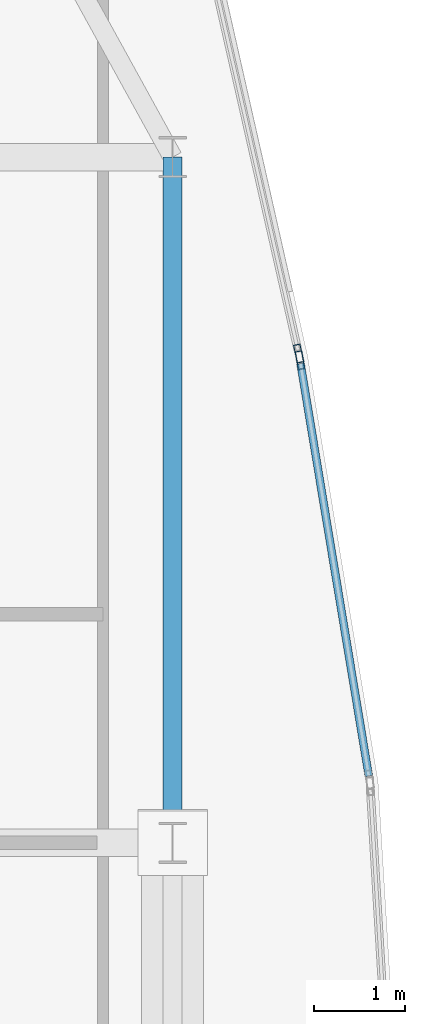
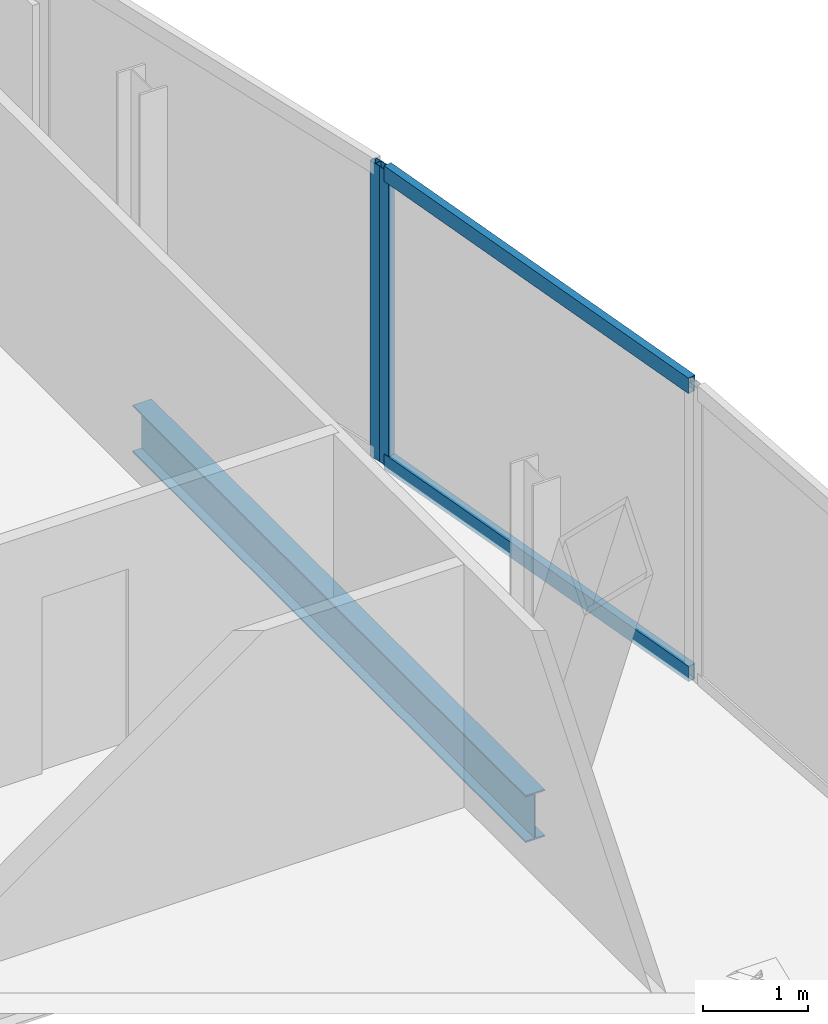
# One storey, part 21 of 31: 4 members, 1 beam, 2 elements without a shape of their own.
"""IFC4 building model written with IfcOpenShell, lengths in metres."""

import ifcopenshell
import ifcopenshell.guid

model = None  # the IFC model being written
_history = None  # IfcOwnerHistory: only IFC2X3 demands one
_inside = {}  # id of a spatial element -> (the spatial element, [elements in it])
_under = {}  # id of a project, library or spatial element -> (it, [spatial elements below it])
_declared = {}  # id of a project -> (the project, [libraries it declares])
_typed = {}  # id of a type object -> (the type object, [elements of that type])
_made_of = {}  # id of a material, layer set ... -> (it, [elements and type objects made of it])


def new_model(schema):
    """Start an empty IFC model of exactly this schema.

    Asked for "IFC4X3", IfcOpenShell would pick the latest addendum, in which some entities
    have other attributes; the version numbers below select the first issue.
    IFC2X3 requires an IfcOwnerHistory on every rooted entity: one is made here for all.
    """
    global model, _history
    if schema == "IFC4X3":
        model = ifcopenshell.file(schema_version=(4, 3, 0, 0))
    else:
        model = ifcopenshell.file(schema=schema)
    _inside.clear()
    _under.clear()
    _declared.clear()
    _typed.clear()
    _made_of.clear()
    _history = None
    if model.schema == "IFC2X3":
        org = make("IfcOrganization", Name="unknown")
        user = make(
            "IfcPersonAndOrganization",
            ThePerson=make("IfcPerson", FamilyName="unknown"),
            TheOrganization=org,
        )
        app = make(
            "IfcApplication",
            ApplicationDeveloper=org,
            Version="unknown",
            ApplicationFullName="unknown",
            ApplicationIdentifier="unknown",
        )
        _history = make(
            "IfcOwnerHistory",
            OwningUser=user,
            OwningApplication=app,
            ChangeAction="ADDED",
            CreationDate=0,
        )
    return model


def make(cls, **values):
    """One entity of the class cls with the attributes given. An attribute that is None is left unset."""
    return model.create_entity(
        cls, **{name: value for name, value in values.items() if value is not None}
    )


def rooted(cls, **values):
    """An entity with a GlobalId (a new one), such as an element, a storey or a relation."""
    return make(cls, GlobalId=ifcopenshell.guid.new(), OwnerHistory=_history, **values)


def si_unit(unit_type, name, prefix=None):
    """IfcSIUnit, for example si_unit("LENGTHUNIT", "METRE", prefix="MILLI")."""
    return make("IfcSIUnit", UnitType=unit_type, Prefix=prefix, Name=name)


def assignment(units):
    """IfcUnitAssignment: the units of a project."""
    return None if units is None else make("IfcUnitAssignment", Units=units)


def point(xyz):
    """IfcCartesianPoint."""
    return None if xyz is None else make("IfcCartesianPoint", Coordinates=xyz)


def direction(xyz):
    """IfcDirection."""
    return None if xyz is None else make("IfcDirection", DirectionRatios=xyz)


def frame(location, z_axis=None, x_axis=None):
    """IfcAxis2Placement3D, a coordinate frame: its origin and axes. An axis left out is left unset."""
    return make(
        "IfcAxis2Placement3D",
        Location=point(location),
        Axis=direction(z_axis),
        RefDirection=direction(x_axis),
    )


def frame_2d(location, x_axis=None):
    """IfcAxis2Placement2D, a coordinate frame in the plane: its origin and x axis."""
    return make(
        "IfcAxis2Placement2D", Location=point(location), RefDirection=direction(x_axis)
    )


def origin():
    """The frame at (0, 0, 0) with its axes left unset."""
    return frame((0.0, 0.0, 0.0))


def origin_2d():
    """The frame at (0, 0) in the plane with its x axis left unset."""
    return frame_2d((0.0, 0.0))


def place(relative_to, where):
    """IfcLocalPlacement: puts the frame where relative to a parent placement (None: the world)."""
    return make(
        "IfcLocalPlacement", PlacementRelTo=relative_to, RelativePlacement=where
    )


def context(
    kind, dimensions, precision=None, world=None, true_north=None, identifier=None
):
    """IfcGeometricRepresentationContext, for example the 3D "Model" context."""
    return make(
        "IfcGeometricRepresentationContext",
        ContextIdentifier=identifier,
        ContextType=kind,
        CoordinateSpaceDimension=dimensions,
        Precision=precision,
        WorldCoordinateSystem=world,
        TrueNorth=true_north,
    )


def subcontext(parent, identifier, kind, view, scale=None):
    """IfcGeometricRepresentationSubContext, for example "Body" below "Model"."""
    return make(
        "IfcGeometricRepresentationSubContext",
        ContextIdentifier=identifier,
        ContextType=kind,
        ParentContext=parent,
        TargetScale=scale,
        TargetView=view,
    )


def project(units=None, contexts=None):
    """IfcProject with its units and contexts."""
    return rooted(
        "IfcProject",
        Name="project",
        RepresentationContexts=contexts,
        UnitsInContext=assignment(units),
    )


def spatial(cls, under=None, at=None, **own):
    """A site, building, storey or space (cls), placed at a placement, below another one or the project."""
    s = rooted(cls, ObjectPlacement=at, **own)
    if under is not None:
        _under.setdefault(under.id(), (under, []))[1].append(s)
    return s


def profile(cls, at=None, kind="AREA", **sizes):
    """A parametric profile (cls). Its sizes go by their IFC names, for example OverallWidth=200.0."""
    return make(cls, ProfileType=kind, Position=at, **sizes)


def hollow_rectangle(**sizes):
    """IfcRectangleHollowProfileDef."""
    return profile("IfcRectangleHollowProfileDef", **sizes)


def i_section(**sizes):
    """IfcIShapeProfileDef."""
    return profile("IfcIShapeProfileDef", **sizes)


def extrude(swept, where, along, depth):
    """IfcExtrudedAreaSolid: the profile swept, set in the frame where, extruded along a direction by depth."""
    return make(
        "IfcExtrudedAreaSolid",
        SweptArea=swept,
        Position=where,
        ExtrudedDirection=direction(along),
        Depth=depth,
    )


def shape(context_of_items, identifier, shape_type, items):
    """IfcShapeRepresentation: the items that make up one representation, for example the "Body"."""
    return make(
        "IfcShapeRepresentation",
        ContextOfItems=context_of_items,
        RepresentationIdentifier=identifier,
        RepresentationType=shape_type,
        Items=items,
    )


def material(Name=None, Category=None):
    """IfcMaterial."""
    return make("IfcMaterial", Name=Name, Category=Category)


def material_profile(
    of_material, cross_section, Name=None, Category=None, Priority=None
):
    """IfcMaterialProfile: a cross section and its material."""
    return make(
        "IfcMaterialProfile",
        Name=Name,
        Material=of_material,
        Profile=cross_section,
        Priority=Priority,
        Category=Category,
    )


def profile_set(profiles, Name=None, composite=None):
    """IfcMaterialProfileSet."""
    return make(
        "IfcMaterialProfileSet",
        Name=Name,
        MaterialProfiles=profiles,
        CompositeProfile=composite,
    )


def made_of(thing, what):
    """Note that an element or type object is made of a material, layer set ...; save() writes the relation."""
    if what is not None:
        _made_of.setdefault(what.id(), (what, []))[1].append(thing)
    return thing


def type_object(cls, material=None, **own):
    """A type object (cls), such as IfcWallType, which elements share."""
    return made_of(rooted(cls, **own), material)


def element(
    cls,
    number,
    at=None,
    inside=None,
    cuts=None,
    type_object=None,
    material=None,
    context=None,
    identifier="Body",
    shape_type=None,
    held_by="IfcProductDefinitionShape",
    body=None,
    shapes=None,
    **own,
):
    """One element of the class cls, such as IfcWall. Its Tag is "e" and its number.

    at: its placement. inside: the storey or other place that contains it. cuts: it is an
    opening in that element (IfcRelVoidsElement). A single representation is given by context,
    identifier, shape_type and body (its items); several are given by shapes. held_by: the class
    of the entity that holds the representations. save() writes the other relations.
    """
    e = rooted(cls, Tag="e%d" % number, ObjectPlacement=at, **own)
    if body is not None:
        shapes = [shape(context, identifier, shape_type, body)]
    if shapes is not None:
        e.Representation = make(held_by, Representations=shapes)
    if inside is not None:
        _inside.setdefault(inside.id(), (inside, []))[1].append(e)
    if cuts is not None:
        rooted(
            "IfcRelVoidsElement", RelatingBuildingElement=cuts, RelatedOpeningElement=e
        )
    if type_object is not None:
        _typed.setdefault(type_object.id(), (type_object, []))[1].append(e)
    return made_of(e, material)


def aggregate(whole, parts):
    """IfcRelAggregates: a whole, such as a stair, and the parts it consists of."""
    return rooted("IfcRelAggregates", RelatingObject=whole, RelatedObjects=parts)


def save(model, path):
    """Write the relations noted so far, then the file.

    IfcRelAggregates (storeys below a building ...), IfcRelContainedInSpatialStructure (elements
    in a storey), IfcRelDefinesByType, IfcRelAssociatesMaterial and IfcRelDeclares: one each for
    every whole, place, type object, material and project.
    """
    for whole, parts in _under.values():
        aggregate(whole, parts)
    for where, things in _inside.values():
        rooted(
            "IfcRelContainedInSpatialStructure",
            RelatedElements=things,
            RelatingStructure=where,
        )
    for kind, things in _typed.values():
        rooted("IfcRelDefinesByType", RelatedObjects=things, RelatingType=kind)
    for what, things in _made_of.values():
        rooted("IfcRelAssociatesMaterial", RelatedObjects=things, RelatingMaterial=what)
    for by, libraries in _declared.values():
        rooted("IfcRelDeclares", RelatingContext=by, RelatedDefinitions=libraries)
    model.write(path)


model = new_model("IFC4")

# Units and contexts
model_context = context("Model", 3, precision=1e-05, world=origin(), true_north=direction((0.0, 1.0)))
body_context = subcontext(model_context, "Body", "Model", "MODEL_VIEW")
ifc_project = project(units=[si_unit("LENGTHUNIT", "METRE"), si_unit("AREAUNIT", "SQUARE_METRE"), si_unit("VOLUMEUNIT", "CUBIC_METRE"), si_unit("PLANEANGLEUNIT", "RADIAN"), si_unit("MASSUNIT", "GRAM", prefix="KILO")], contexts=[model_context])

# Site, building, storey
site_placement = place(None, origin())
site = spatial("IfcSite", under=ifc_project, at=site_placement, CompositionType="ELEMENT")
building_placement = place(site_placement, origin())
building = spatial("IfcBuilding", under=site, at=building_placement, Name="Khoronbel Lancet Exchange", CompositionType="ELEMENT")
storey_placement = place(building_placement, frame((0.0, 0.0, 325.39990234375)))
storey = spatial("IfcBuildingStorey", under=building, at=storey_placement, Name="L84", CompositionType="ELEMENT", Elevation=325.39990234375)

# Beam
ifc_material_1 = material(Name="Steel S355", Category="steel")
ifc_material_profile_1 = material_profile(ifc_material_1, i_section(OverallWidth=0.2099609375, OverallDepth=0.550048828125, WebThickness=0.010986328125, FlangeThickness=0.01708984375, at=origin_2d()), Name="IPE 550")
ifc_profile_set_1 = profile_set([ifc_material_profile_1], Name="Steel S355")
beam_type = type_object("IfcBeamType", Name="BM-BSP3", PredefinedType="SPANDREL", material=ifc_profile_set_1)
beam_placement = place(storey_placement, frame((61.6298828125, 35.699951171875, -0.434814453125), z_axis=(0.0, 1.0, 0.0), x_axis=(-1.0, 0.0, 0.0)))
element("IfcBeam", 1, at=beam_placement, inside=storey, type_object=beam_type, Name="Level L84 perimeter spandrel beam SP12", PredefinedType="SPANDREL", context=body_context, shape_type="SweptSolid", body=[
    extrude(i_section(OverallWidth=0.2099609375, OverallDepth=0.550048828125, WebThickness=0.010986328125, FlangeThickness=0.01708984375, at=origin_2d()), origin(), (0.0, 0.0, 1.0), 7.5),
])

# Curtain wall, member
ifc_material_2 = material(Name="Low-E Solar Control Insulating Glass", Category="glass")
curtain_wall_type = type_object("IfcCurtainWallType", Name="CW-4", PredefinedType="NOTDEFINED", material=ifc_material_2)
curtain_wall_1_placement = place(storey_placement, origin())
curtain_wall_1 = element("IfcCurtainWall", 2, at=curtain_wall_1_placement, inside=storey, type_object=curtain_wall_type, Name="Unitised curtain wall CW-L84-E17", PredefinedType="NOTDEFINED")
ifc_material_3 = material(Name="Bronze-Anodised Aluminium 6063-T6", Category="aluminium")
ifc_material_profile_2 = material_profile(ifc_material_3, hollow_rectangle(XDim=0.074951171875, YDim=0.199951171875, WallThickness=0.0048828125, at=origin_2d()), Name="ALU MULLION 75x200")
ifc_profile_set_2 = profile_set([ifc_material_profile_2], Name="Bronze-Anodised Aluminium 6063-T6")
member_type_1 = type_object("IfcMemberType", Name="MEM-CWM2", PredefinedType="MULLION", material=ifc_profile_set_2)
member_1_placement = place(storey_placement, frame((63.0087890625, 41.052490234375, 0.0), z_axis=(0.0, 0.0, 1.0), x_axis=(0.975369067716, 0.220579196078, 0.0)))
member_1 = element("IfcMember", 3, at=member_1_placement, type_object=member_type_1, Name="CW4 mullion 2", PredefinedType="MULLION", context=body_context, shape_type="SweptSolid", body=[
    extrude(hollow_rectangle(XDim=0.074951171875, YDim=0.199951171875, WallThickness=0.0048828125, at=origin_2d()), origin(), (0.0, 0.0, 1.0), 3.440185546875),
])
aggregate(curtain_wall_1, [member_1])

# Curtain wall, members
curtain_wall_2_placement = place(storey_placement, origin())
curtain_wall_2 = element("IfcCurtainWall", 4, at=curtain_wall_2_placement, inside=storey, type_object=curtain_wall_type, Name="Unitised curtain wall CW-L84-E18", PredefinedType="NOTDEFINED")
member_2_placement = place(storey_placement, frame((63.023193359375, 40.97900390625, 0.0), z_axis=(0.0, 0.0, 1.0), x_axis=(0.98657075141, 0.163334480321, 0.0)))
member_2 = element("IfcMember", 5, at=member_2_placement, type_object=member_type_1, Name="CW4 mullion 1", PredefinedType="MULLION", context=body_context, shape_type="SweptSolid", body=[
    extrude(hollow_rectangle(XDim=0.074951171875, YDim=0.199951171875, WallThickness=0.0048828125, at=origin_2d()), origin(), (0.0, 0.0, 1.0), 3.440185546875),
])
ifc_material_profile_3 = material_profile(ifc_material_3, hollow_rectangle(XDim=0.0849609375, YDim=0.179931640625, WallThickness=0.0048828125, at=origin_2d()), Name="ALU TRANSOM 85x180")
ifc_profile_set_3 = profile_set([ifc_material_profile_3], Name="Bronze-Anodised Aluminium 6063-T6")
member_type_2 = type_object("IfcMemberType", Name="MEM-CWT1", PredefinedType="USERDEFINED", material=ifc_profile_set_3)
member_3_placement = place(storey_placement, frame((63.029296875, 40.94189453125, 0.04248046875), z_axis=(0.163325283372, -0.986572273993, 0.0), x_axis=(0.986572273993, 0.163325283372, 0.0)))
member_3 = element("IfcMember", 6, at=member_3_placement, type_object=member_type_2, Name="CW4 transom 1.1", ObjectType="TRANSOM", PredefinedType="USERDEFINED", context=body_context, shape_type="SweptSolid", body=[
    extrude(hollow_rectangle(XDim=0.0849609375, YDim=0.179931640625, WallThickness=0.0048828125, at=origin_2d()), origin(), (0.0, 0.0, 1.0), 4.572509765625),
])
member_4_placement = place(storey_placement, frame((63.029296875, 40.94189453125, 3.397705078125), z_axis=(0.163325283372, -0.986572273993, 0.0), x_axis=(0.986572273993, 0.163325283372, 0.0)))
member_4 = element("IfcMember", 7, at=member_4_placement, type_object=member_type_2, Name="CW4 transom 1.2", ObjectType="TRANSOM", PredefinedType="USERDEFINED", context=body_context, shape_type="SweptSolid", body=[
    extrude(hollow_rectangle(XDim=0.0849609375, YDim=0.179931640625, WallThickness=0.0048828125, at=origin_2d()), origin(), (0.0, 0.0, 1.0), 4.572509765625),
])
aggregate(curtain_wall_2, [member_2, member_3, member_4])

save(model, "model.ifc")
